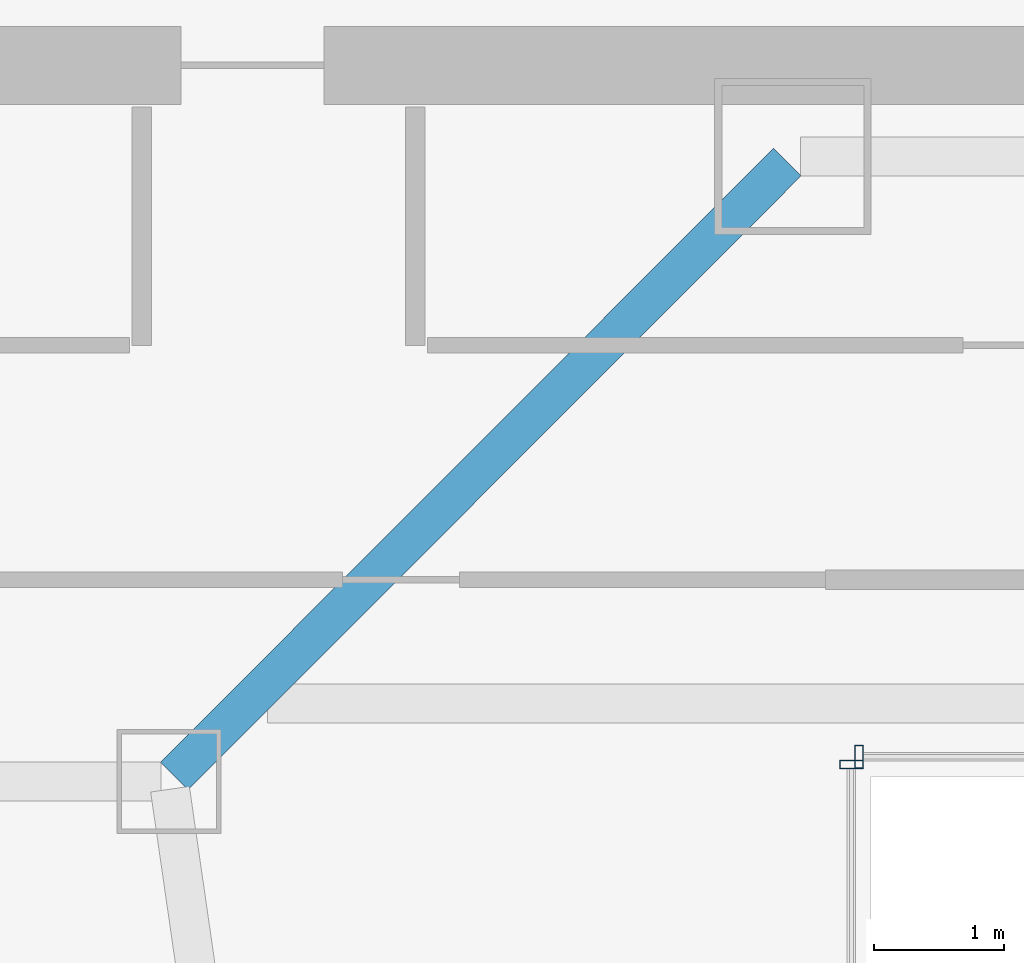
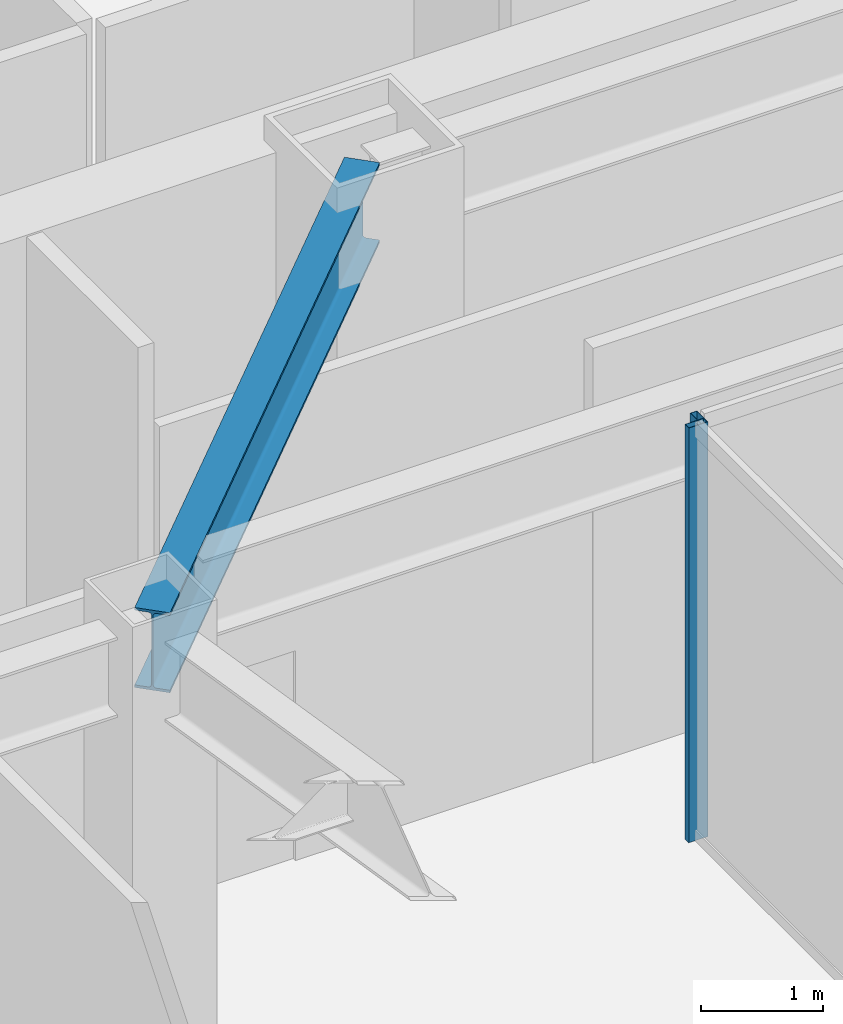
# One storey, part 24 of 47: 2 members, 1 beam, 2 elements without a shape of their own.
"""IFC4 building model written with IfcOpenShell, lengths in metres."""

import ifcopenshell
import ifcopenshell.guid

model = None  # the IFC model being written
_history = None  # IfcOwnerHistory: only IFC2X3 demands one
_inside = {}  # id of a spatial element -> (the spatial element, [elements in it])
_under = {}  # id of a project, library or spatial element -> (it, [spatial elements below it])
_declared = {}  # id of a project -> (the project, [libraries it declares])
_typed = {}  # id of a type object -> (the type object, [elements of that type])
_made_of = {}  # id of a material, layer set ... -> (it, [elements and type objects made of it])


def new_model(schema):
    """Start an empty IFC model of exactly this schema.

    Asked for "IFC4X3", IfcOpenShell would pick the latest addendum, in which some entities
    have other attributes; the version numbers below select the first issue.
    IFC2X3 requires an IfcOwnerHistory on every rooted entity: one is made here for all.
    """
    global model, _history
    if schema == "IFC4X3":
        model = ifcopenshell.file(schema_version=(4, 3, 0, 0))
    else:
        model = ifcopenshell.file(schema=schema)
    _inside.clear()
    _under.clear()
    _declared.clear()
    _typed.clear()
    _made_of.clear()
    _history = None
    if model.schema == "IFC2X3":
        org = make("IfcOrganization", Name="unknown")
        user = make(
            "IfcPersonAndOrganization",
            ThePerson=make("IfcPerson", FamilyName="unknown"),
            TheOrganization=org,
        )
        app = make(
            "IfcApplication",
            ApplicationDeveloper=org,
            Version="unknown",
            ApplicationFullName="unknown",
            ApplicationIdentifier="unknown",
        )
        _history = make(
            "IfcOwnerHistory",
            OwningUser=user,
            OwningApplication=app,
            ChangeAction="ADDED",
            CreationDate=0,
        )
    return model


def make(cls, **values):
    """One entity of the class cls with the attributes given. An attribute that is None is left unset."""
    return model.create_entity(
        cls, **{name: value for name, value in values.items() if value is not None}
    )


def rooted(cls, **values):
    """An entity with a GlobalId (a new one), such as an element, a storey or a relation."""
    return make(cls, GlobalId=ifcopenshell.guid.new(), OwnerHistory=_history, **values)


def si_unit(unit_type, name, prefix=None):
    """IfcSIUnit, for example si_unit("LENGTHUNIT", "METRE", prefix="MILLI")."""
    return make("IfcSIUnit", UnitType=unit_type, Prefix=prefix, Name=name)


def assignment(units):
    """IfcUnitAssignment: the units of a project."""
    return None if units is None else make("IfcUnitAssignment", Units=units)


def point(xyz):
    """IfcCartesianPoint."""
    return None if xyz is None else make("IfcCartesianPoint", Coordinates=xyz)


def direction(xyz):
    """IfcDirection."""
    return None if xyz is None else make("IfcDirection", DirectionRatios=xyz)


def frame(location, z_axis=None, x_axis=None):
    """IfcAxis2Placement3D, a coordinate frame: its origin and axes. An axis left out is left unset."""
    return make(
        "IfcAxis2Placement3D",
        Location=point(location),
        Axis=direction(z_axis),
        RefDirection=direction(x_axis),
    )


def frame_2d(location, x_axis=None):
    """IfcAxis2Placement2D, a coordinate frame in the plane: its origin and x axis."""
    return make(
        "IfcAxis2Placement2D", Location=point(location), RefDirection=direction(x_axis)
    )


def origin():
    """The frame at (0, 0, 0) with its axes left unset."""
    return frame((0.0, 0.0, 0.0))


def origin_2d():
    """The frame at (0, 0) in the plane with its x axis left unset."""
    return frame_2d((0.0, 0.0))


def place(relative_to, where):
    """IfcLocalPlacement: puts the frame where relative to a parent placement (None: the world)."""
    return make(
        "IfcLocalPlacement", PlacementRelTo=relative_to, RelativePlacement=where
    )


def context(
    kind, dimensions, precision=None, world=None, true_north=None, identifier=None
):
    """IfcGeometricRepresentationContext, for example the 3D "Model" context."""
    return make(
        "IfcGeometricRepresentationContext",
        ContextIdentifier=identifier,
        ContextType=kind,
        CoordinateSpaceDimension=dimensions,
        Precision=precision,
        WorldCoordinateSystem=world,
        TrueNorth=true_north,
    )


def subcontext(parent, identifier, kind, view, scale=None):
    """IfcGeometricRepresentationSubContext, for example "Body" below "Model"."""
    return make(
        "IfcGeometricRepresentationSubContext",
        ContextIdentifier=identifier,
        ContextType=kind,
        ParentContext=parent,
        TargetScale=scale,
        TargetView=view,
    )


def project(units=None, contexts=None):
    """IfcProject with its units and contexts."""
    return rooted(
        "IfcProject",
        Name="project",
        RepresentationContexts=contexts,
        UnitsInContext=assignment(units),
    )


def spatial(cls, under=None, at=None, **own):
    """A site, building, storey or space (cls), placed at a placement, below another one or the project."""
    s = rooted(cls, ObjectPlacement=at, **own)
    if under is not None:
        _under.setdefault(under.id(), (under, []))[1].append(s)
    return s


def profile(cls, at=None, kind="AREA", **sizes):
    """A parametric profile (cls). Its sizes go by their IFC names, for example OverallWidth=200.0."""
    return make(cls, ProfileType=kind, Position=at, **sizes)


def hollow_rectangle(**sizes):
    """IfcRectangleHollowProfileDef."""
    return profile("IfcRectangleHollowProfileDef", **sizes)


def i_section(**sizes):
    """IfcIShapeProfileDef."""
    return profile("IfcIShapeProfileDef", **sizes)


def extrude(swept, where, along, depth):
    """IfcExtrudedAreaSolid: the profile swept, set in the frame where, extruded along a direction by depth."""
    return make(
        "IfcExtrudedAreaSolid",
        SweptArea=swept,
        Position=where,
        ExtrudedDirection=direction(along),
        Depth=depth,
    )


def shape(context_of_items, identifier, shape_type, items):
    """IfcShapeRepresentation: the items that make up one representation, for example the "Body"."""
    return make(
        "IfcShapeRepresentation",
        ContextOfItems=context_of_items,
        RepresentationIdentifier=identifier,
        RepresentationType=shape_type,
        Items=items,
    )


def material(Name=None, Category=None):
    """IfcMaterial."""
    return make("IfcMaterial", Name=Name, Category=Category)


def material_profile(
    of_material, cross_section, Name=None, Category=None, Priority=None
):
    """IfcMaterialProfile: a cross section and its material."""
    return make(
        "IfcMaterialProfile",
        Name=Name,
        Material=of_material,
        Profile=cross_section,
        Priority=Priority,
        Category=Category,
    )


def profile_set(profiles, Name=None, composite=None):
    """IfcMaterialProfileSet."""
    return make(
        "IfcMaterialProfileSet",
        Name=Name,
        MaterialProfiles=profiles,
        CompositeProfile=composite,
    )


def made_of(thing, what):
    """Note that an element or type object is made of a material, layer set ...; save() writes the relation."""
    if what is not None:
        _made_of.setdefault(what.id(), (what, []))[1].append(thing)
    return thing


def type_object(cls, material=None, **own):
    """A type object (cls), such as IfcWallType, which elements share."""
    return made_of(rooted(cls, **own), material)


def element(
    cls,
    number,
    at=None,
    inside=None,
    cuts=None,
    type_object=None,
    material=None,
    context=None,
    identifier="Body",
    shape_type=None,
    held_by="IfcProductDefinitionShape",
    body=None,
    shapes=None,
    **own,
):
    """One element of the class cls, such as IfcWall. Its Tag is "e" and its number.

    at: its placement. inside: the storey or other place that contains it. cuts: it is an
    opening in that element (IfcRelVoidsElement). A single representation is given by context,
    identifier, shape_type and body (its items); several are given by shapes. held_by: the class
    of the entity that holds the representations. save() writes the other relations.
    """
    e = rooted(cls, Tag="e%d" % number, ObjectPlacement=at, **own)
    if body is not None:
        shapes = [shape(context, identifier, shape_type, body)]
    if shapes is not None:
        e.Representation = make(held_by, Representations=shapes)
    if inside is not None:
        _inside.setdefault(inside.id(), (inside, []))[1].append(e)
    if cuts is not None:
        rooted(
            "IfcRelVoidsElement", RelatingBuildingElement=cuts, RelatedOpeningElement=e
        )
    if type_object is not None:
        _typed.setdefault(type_object.id(), (type_object, []))[1].append(e)
    return made_of(e, material)


def aggregate(whole, parts):
    """IfcRelAggregates: a whole, such as a stair, and the parts it consists of."""
    return rooted("IfcRelAggregates", RelatingObject=whole, RelatedObjects=parts)


def save(model, path):
    """Write the relations noted so far, then the file.

    IfcRelAggregates (storeys below a building ...), IfcRelContainedInSpatialStructure (elements
    in a storey), IfcRelDefinesByType, IfcRelAssociatesMaterial and IfcRelDeclares: one each for
    every whole, place, type object, material and project.
    """
    for whole, parts in _under.values():
        aggregate(whole, parts)
    for where, things in _inside.values():
        rooted(
            "IfcRelContainedInSpatialStructure",
            RelatedElements=things,
            RelatingStructure=where,
        )
    for kind, things in _typed.values():
        rooted("IfcRelDefinesByType", RelatedObjects=things, RelatingType=kind)
    for what, things in _made_of.values():
        rooted("IfcRelAssociatesMaterial", RelatedObjects=things, RelatingMaterial=what)
    for by, libraries in _declared.values():
        rooted("IfcRelDeclares", RelatingContext=by, RelatedDefinitions=libraries)
    model.write(path)


model = new_model("IFC4")

# Units and contexts
model_context = context("Model", 3, precision=1e-05, world=origin(), true_north=direction((0.0, 1.0)))
body_context = subcontext(model_context, "Body", "Model", "MODEL_VIEW")
ifc_project = project(units=[si_unit("LENGTHUNIT", "METRE"), si_unit("AREAUNIT", "SQUARE_METRE"), si_unit("VOLUMEUNIT", "CUBIC_METRE"), si_unit("PLANEANGLEUNIT", "RADIAN"), si_unit("MASSUNIT", "GRAM", prefix="KILO")], contexts=[model_context])

# Site, building, storey
site_placement = place(None, origin())
site = spatial("IfcSite", under=ifc_project, at=site_placement, CompositionType="ELEMENT")
building_placement = place(site_placement, origin())
building = spatial("IfcBuilding", under=site, at=building_placement, Name="Saevonmaru Cultural Tower", CompositionType="ELEMENT")
storey_placement = place(building_placement, frame((0.0, 0.0, 92.800048828125)))
storey = spatial("IfcBuildingStorey", under=building, at=storey_placement, Name="L19", CompositionType="ELEMENT", Elevation=92.800048828125)

# Beam
ifc_material_1 = material(Name="Steel SM420", Category="steel")
ifc_material_profile_1 = material_profile(ifc_material_1, i_section(OverallWidth=0.300048828125, OverallDepth=0.800048828125, WebThickness=0.013916015625, FlangeThickness=0.02587890625, FilletRadius=0.028076171875, at=origin_2d()), Name="H-800x300x14x26")
ifc_profile_set_1 = profile_set([ifc_material_profile_1], Name="Steel SM420")
beam_type = type_object("IfcBeamType", Name="BM-G-H800", PredefinedType="BEAM", material=ifc_profile_set_1)
beam_placement = place(storey_placement, frame((18.850341796875, 37.642578125, 3.75), z_axis=(0.706538566564, 0.707674539572, 0.0), x_axis=(-0.707674539572, 0.706538566564, 0.0)))
element("IfcBeam", 1, at=beam_placement, inside=storey, type_object=beam_type, Name="L19 West Atrium Girder 6", PredefinedType="BEAM", context=body_context, shape_type="SweptSolid", body=[
    extrude(i_section(OverallWidth=0.300048828125, OverallDepth=0.800048828125, WebThickness=0.013916015625, FlangeThickness=0.02587890625, FilletRadius=0.028076171875, at=origin_2d()), origin(), (0.0, 0.0, 1.0), 6.662353515625),
])

# Curtain wall, member
ifc_material_2 = material(Name="Satin Bronze Anodised Aluminium", Category="aluminium")
curtain_wall_type = type_object("IfcCurtainWallType", Name="CW-ATR-GLZ", PredefinedType="NOTDEFINED", material=ifc_material_2)
curtain_wall_1_placement = place(storey_placement, origin())
curtain_wall_1 = element("IfcCurtainWall", 2, at=curtain_wall_1_placement, inside=storey, type_object=curtain_wall_type, Name="L19 Vertical Atrium Glazed Smoke Screen 3", PredefinedType="NOTDEFINED")
ifc_material_profile_2 = material_profile(ifc_material_2, hollow_rectangle(XDim=0.06494140625, YDim=0.179931640625, WallThickness=0.00390625, at=origin_2d()), Name="ALU-MULL-180x65x4")
ifc_profile_set_2 = profile_set([ifc_material_profile_2], Name="Satin Bronze Anodised Aluminium")
member_type = type_object("IfcMemberType", Name="ML-CW-INT-180x65", PredefinedType="MULLION", material=ifc_profile_set_2)
member_1_placement = place(storey_placement, frame((24.110107421875, 37.7900390625, 0.0), z_axis=(0.0, 0.0, 1.0), x_axis=(-1.0, 0.0, 0.0)))
member_1 = element("IfcMember", 3, at=member_1_placement, type_object=member_type, Name="CW-ATR-L19-3 mullion 2", PredefinedType="MULLION", context=body_context, shape_type="SweptSolid", body=[
    extrude(hollow_rectangle(XDim=0.06494140625, YDim=0.179931640625, WallThickness=0.00390625, at=origin_2d()), origin(), (0.0, 0.0, 1.0), 4.14990234375),
])
aggregate(curtain_wall_1, [member_1])

curtain_wall_2_placement = place(storey_placement, origin())
curtain_wall_2 = element("IfcCurtainWall", 4, at=curtain_wall_2_placement, inside=storey, type_object=curtain_wall_type, Name="L19 Vertical Atrium Glazed Smoke Screen 4", PredefinedType="NOTDEFINED")
member_2_placement = place(storey_placement, frame((24.050048828125, 37.72998046875, 0.0), z_axis=(0.0, 0.0, 1.0), x_axis=(0.0, -1.0, 0.0)))
member_2 = element("IfcMember", 5, at=member_2_placement, type_object=member_type, Name="CW-ATR-L19-4 mullion 1", PredefinedType="MULLION", context=body_context, shape_type="SweptSolid", body=[
    extrude(hollow_rectangle(XDim=0.06494140625, YDim=0.179931640625, WallThickness=0.00390625, at=origin_2d()), origin(), (0.0, 0.0, 1.0), 4.14990234375),
])
aggregate(curtain_wall_2, [member_2])

save(model, "model.ifc")
